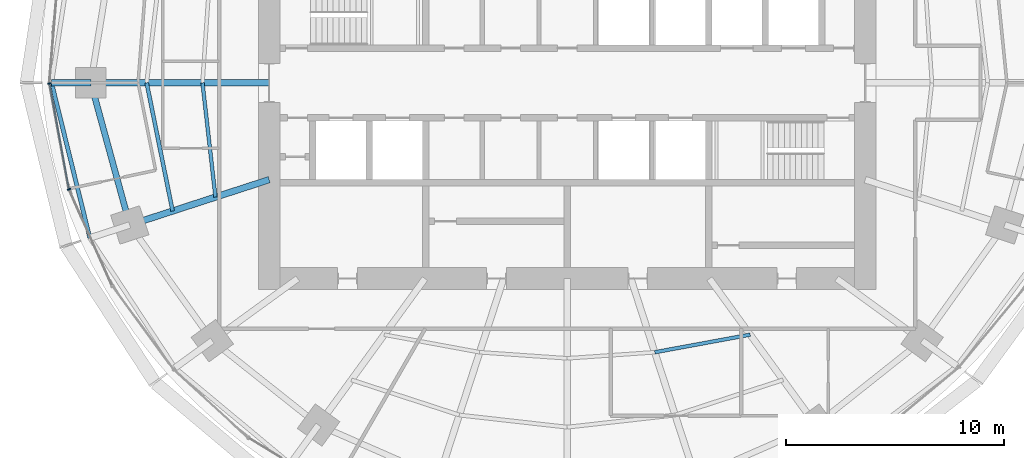
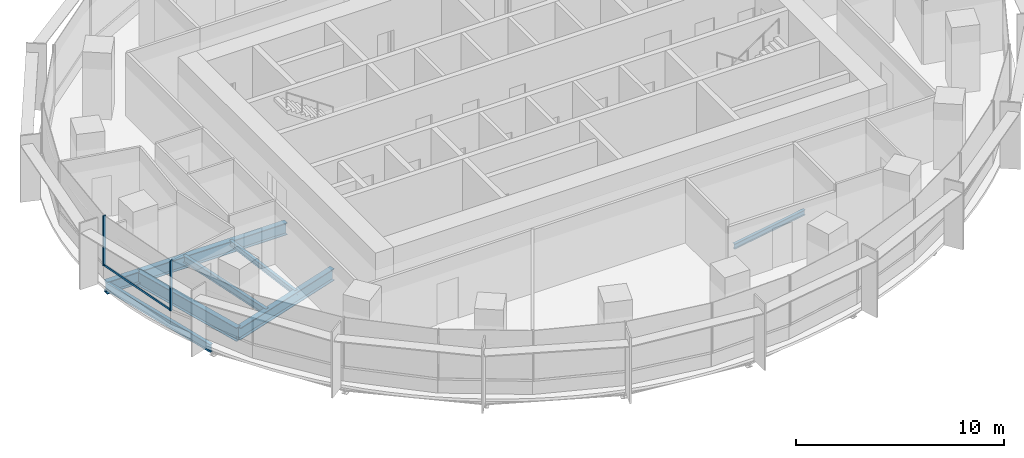
# One storey, part 3 of 14: 8 beams, 3 members, 1 element without a shape of its own.
"""IFC4 building model written with IfcOpenShell, lengths in metres."""

from ifc_helpers import new_model, si_unit, direction, frame, origin, origin_2d, place, context, subcontext, project, spatial, rectangle, i_section, extrude, material, material_profile, profile_set, type_object, element, aggregate, save


model = new_model("IFC4")

# Units and contexts
model_context = context("Model", 3, precision=1e-05, world=origin(), true_north=direction((0.0, 1.0)))
body_context = subcontext(model_context, "Body", "Model", "MODEL_VIEW")
ifc_project = project(units=[si_unit("LENGTHUNIT", "METRE"), si_unit("AREAUNIT", "SQUARE_METRE"), si_unit("VOLUMEUNIT", "CUBIC_METRE"), si_unit("PLANEANGLEUNIT", "RADIAN"), si_unit("MASSUNIT", "GRAM", prefix="KILO")], contexts=[model_context])

# Site, building, storey
site_placement = place(None, origin())
site = spatial("IfcSite", under=ifc_project, at=site_placement, CompositionType="ELEMENT")
building_placement = place(site_placement, origin())
building = spatial("IfcBuilding", under=site, at=building_placement, Name="Marramba Exchange Tower", CompositionType="ELEMENT")
storey_placement = place(building_placement, frame((0.0, 0.0, 183.800048828125)))
storey = spatial("IfcBuildingStorey", under=building, at=storey_placement, Name="L44", CompositionType="ELEMENT", Elevation=183.800048828125)

# Beams
ifc_material_1 = material(Name="Steel AS/NZS 3679.2 grade 300", Category="steel")
ifc_material_profile_1 = material_profile(ifc_material_1, i_section(OverallWidth=0.300048828125, OverallDepth=0.699951171875, WebThickness=0.010009765625, FlangeThickness=0.031982421875, at=origin_2d()), Name="700WB173")
ifc_profile_set_1 = profile_set([ifc_material_profile_1], Name="Steel AS/NZS 3679.2 grade 300")
beam_type_1 = type_object("IfcBeamType", Name="Cantilever girder 700WB173", PredefinedType="BEAM", material=ifc_profile_set_1)
beam_1_placement = place(storey_placement, frame((-21.89990234375, 0.0, -0.510009765625), z_axis=(-1.0, 0.0, 0.0), x_axis=(0.0, -1.0, 0.0)))
element("IfcBeam", 1, at=beam_1_placement, inside=storey, type_object=beam_type_1, Name="Cantilever girder L44 TC11", PredefinedType="BEAM", context=body_context, shape_type="SweptSolid", body=[
    extrude(i_section(OverallWidth=0.300048828125, OverallDepth=0.699951171875, WebThickness=0.010009765625, FlangeThickness=0.031982421875, at=origin_2d()), origin(), (0.0, 0.0, 1.0), 1.80615234375),
])
ifc_material_2 = material(Name="Steel AS/NZS 3679.1 grade 300", Category="steel")
ifc_material_profile_2 = material_profile(ifc_material_2, i_section(OverallWidth=0.166015625, OverallDepth=0.306884765625, WebThickness=0.006591796875, FlangeThickness=0.01171875, FilletRadius=0.011474609375, at=origin_2d()), Name="310UB46.2")
ifc_profile_set_2 = profile_set([ifc_material_profile_2], Name="Steel AS/NZS 3679.1 grade 300")
beam_type_2 = type_object("IfcBeamType", Name="Floor joist 310UB46.2", PredefinedType="JOIST", material=ifc_profile_set_2)
beam_2_placement = place(storey_placement, frame((-16.7666015625, 0.0, -0.3134765625), z_axis=(0.112888968594, -0.993607609054, 0.0), x_axis=(0.993607609054, 0.112888968594, 0.0)))
element("IfcBeam", 2, at=beam_2_placement, inside=storey, type_object=beam_type_2, Name="Joist L44 bay 11 row 1", PredefinedType="JOIST", context=body_context, shape_type="SweptSolid", body=[
    extrude(i_section(OverallWidth=0.166015625, OverallDepth=0.306884765625, WebThickness=0.006591796875, FlangeThickness=0.01171875, FilletRadius=0.011474609375, at=origin_2d()), origin(), (0.0, 0.0, 1.0), 5.28759765625),
])
beam_3_placement = place(storey_placement, frame((4.0244140625, -12.3857421875, -0.3134765625), z_axis=(0.983455754421, 0.181148500119, 0.0), x_axis=(-0.181148500119, 0.983455754421, 0.0)))
element("IfcBeam", 3, at=beam_3_placement, inside=storey, type_object=beam_type_2, Name="Joist L44 bay 17 row 1", PredefinedType="JOIST", context=body_context, shape_type="SweptSolid", body=[
    extrude(i_section(OverallWidth=0.166015625, OverallDepth=0.306884765625, WebThickness=0.006591796875, FlangeThickness=0.01171875, FilletRadius=0.011474609375, at=origin_2d()), origin(), (0.0, 0.0, 1.0), 4.4609375),
])
ifc_material_profile_3 = material_profile(ifc_material_2, i_section(OverallWidth=0.177978515625, OverallDepth=0.406005859375, WebThickness=0.0078125, FlangeThickness=0.0126953125, FilletRadius=0.011474609375, at=origin_2d()), Name="410UB59.7")
ifc_profile_set_3 = profile_set([ifc_material_profile_3], Name="Steel AS/NZS 3679.1 grade 300")
beam_type_3 = type_object("IfcBeamType", Name="Floor joist 410UB59.7", PredefinedType="JOIST", material=ifc_profile_set_3)
beam_4_placement = place(storey_placement, frame((-19.333251953125, 0.0, -0.363037109375), z_axis=(0.198489047047, -0.980103105904, 0.0), x_axis=(0.980103105904, 0.198489047047, 0.0)))
element("IfcBeam", 4, at=beam_4_placement, inside=storey, type_object=beam_type_3, Name="Joist L44 bay 11 row 2", PredefinedType="JOIST", context=body_context, shape_type="SweptSolid", body=[
    extrude(i_section(OverallWidth=0.177978515625, OverallDepth=0.406005859375, WebThickness=0.0078125, FlangeThickness=0.0126953125, FilletRadius=0.011474609375, at=origin_2d()), origin(), (0.0, 0.0, 1.0), 6.013427734375),
])

# Curtain wall, members
ifc_material_3 = material(Name="Aluminium framing, bronze anodised", Category="aluminium")
curtain_wall_type = type_object("IfcCurtainWallType", Name="Office ribbon curtain wall", PredefinedType="USERDEFINED", material=ifc_material_3)
curtain_wall_placement = place(storey_placement, origin())
curtain_wall = element("IfcCurtainWall", 5, at=curtain_wall_placement, inside=storey, type_object=curtain_wall_type, Name="Curtain wall CW4 L44 F16-F20", ObjectType="RIBBON CURTAIN WALL", PredefinedType="USERDEFINED")
ifc_material_4 = material(Name="Aluminium mullion, bronze anodised", Category="aluminium")
ifc_material_profile_4 = material_profile(ifc_material_4, rectangle(XDim=0.159912109375, YDim=0.06005859375, at=origin_2d()), Name="CW4 mullion 60x160")
ifc_profile_set_4 = profile_set([ifc_material_profile_4], Name="Aluminium mullion, bronze anodised")
member_type_1 = type_object("IfcMemberType", Name="Office ribbon curtain wall mullion", PredefinedType="MULLION", material=ifc_profile_set_4)
member_1_placement = place(storey_placement, frame((-23.800537109375, -0.029541015625, 0.800048828125), z_axis=(0.0, 0.0, 1.0), x_axis=(0.983606636184, 0.180327438996, 0.0)))
member_1 = element("IfcMember", 6, at=member_1_placement, type_object=member_type_1, Name="CW4 mullion 1", PredefinedType="MULLION", context=body_context, shape_type="SweptSolid", body=[
    extrude(rectangle(XDim=0.159912109375, YDim=0.06005859375, at=origin_2d()), origin(), (0.0, 0.0, 1.0), 2.93994140625),
])
member_2_placement = place(storey_placement, frame((-22.90087890625, -4.897705078125, 0.800048828125), z_axis=(0.0, 0.0, 1.0), x_axis=(0.913179510401, 0.407557580942, 0.0)))
member_2 = element("IfcMember", 7, at=member_2_placement, type_object=member_type_1, Name="CW4 mullion 1", PredefinedType="MULLION", context=body_context, shape_type="SweptSolid", body=[
    extrude(rectangle(XDim=0.159912109375, YDim=0.06005859375, at=origin_2d()), origin(), (0.0, 0.0, 1.0), 2.93994140625),
])
ifc_material_5 = material(Name="Aluminium transom, bronze anodised", Category="aluminium")
ifc_material_profile_5 = material_profile(ifc_material_5, rectangle(XDim=0.06005859375, YDim=0.1201171875, at=origin_2d()), Name="CW4 transom 60x120")
ifc_profile_set_5 = profile_set([ifc_material_profile_5], Name="Aluminium transom, bronze anodised")
member_type_2 = type_object("IfcMemberType", Name="Office ribbon curtain wall transom", PredefinedType="USERDEFINED", material=ifc_profile_set_5)
member_3_placement = place(storey_placement, frame((-23.795166015625, -0.05908203125, 0.829833984375), z_axis=(0.180330283276, -0.98360611473, 0.0), x_axis=(0.98360611473, 0.180330283276, 0.0)))
member_3 = element("IfcMember", 8, at=member_3_placement, type_object=member_type_2, Name="CW4 sill transom", ObjectType="TRANSOM", PredefinedType="USERDEFINED", context=body_context, shape_type="SweptSolid", body=[
    extrude(rectangle(XDim=0.06005859375, YDim=0.1201171875, at=origin_2d()), origin(), (0.0, 0.0, 1.0), 4.891357421875),
])
aggregate(curtain_wall, [member_1, member_3, member_2])

# Beams
ifc_material_profile_6 = material_profile(ifc_material_1, i_section(OverallWidth=0.300048828125, OverallDepth=0.699951171875, WebThickness=0.010009765625, FlangeThickness=0.031982421875, at=origin_2d()), Name="700WB173")
ifc_profile_set_6 = profile_set([ifc_material_profile_6], Name="Steel AS/NZS 3679.2 grade 300")
beam_type_4 = type_object("IfcBeamType", Name="Radial girder 700WB173", PredefinedType="BEAM", material=ifc_profile_set_6)
beam_5_placement = place(storey_placement, frame((-13.699951171875, 0.0, -0.510009765625), z_axis=(-1.0, 0.0, 0.0), x_axis=(0.0, -1.0, 0.0)))
element("IfcBeam", 9, at=beam_5_placement, inside=storey, type_object=beam_type_4, Name="Radial girder L44 TC11", PredefinedType="BEAM", context=body_context, shape_type="SweptSolid", body=[
    extrude(i_section(OverallWidth=0.300048828125, OverallDepth=0.699951171875, WebThickness=0.010009765625, FlangeThickness=0.031982421875, at=origin_2d()), origin(), (0.0, 0.0, 1.0), 8.199951171875),
])
beam_6_placement = place(storey_placement, frame((-13.699951171875, -4.451416015625, -0.510009765625), z_axis=(-0.951057759669, -0.309013167637, 0.0), x_axis=(0.309013167637, -0.951057759669, 0.0)))
element("IfcBeam", 10, at=beam_6_placement, inside=storey, type_object=beam_type_4, Name="Radial girder L44 TC12", PredefinedType="BEAM", context=body_context, shape_type="SweptSolid", body=[
    extrude(i_section(OverallWidth=0.300048828125, OverallDepth=0.699951171875, WebThickness=0.010009765625, FlangeThickness=0.031982421875, at=origin_2d()), origin(), (0.0, 0.0, 1.0), 6.7392578125),
])
ifc_material_profile_7 = material_profile(ifc_material_1, i_section(OverallWidth=0.27490234375, OverallDepth=0.800048828125, WebThickness=0.010009765625, FlangeThickness=0.02490234375, at=origin_2d()), Name="800WB168")
ifc_profile_set_7 = profile_set([ifc_material_profile_7], Name="Steel AS/NZS 3679.2 grade 300")
beam_type_5 = type_object("IfcBeamType", Name="Ring beam 800WB168", PredefinedType="SPANDREL", material=ifc_profile_set_7)
beam_7_placement = place(storey_placement, frame((-21.89990234375, 0.0, -0.56005859375), z_axis=(0.264291166956, -0.964442937176, 0.0), x_axis=(0.964442937176, 0.264291166956, 0.0)))
element("IfcBeam", 11, at=beam_7_placement, inside=storey, type_object=beam_type_5, Name="Ring beam L44 TC11-TC12", PredefinedType="SPANDREL", context=body_context, shape_type="SweptSolid", body=[
    extrude(i_section(OverallWidth=0.27490234375, OverallDepth=0.800048828125, WebThickness=0.010009765625, FlangeThickness=0.02490234375, at=origin_2d()), origin(), (0.0, 0.0, 1.0), 6.77490234375),
])
ifc_material_profile_8 = material_profile(ifc_material_2, i_section(OverallWidth=0.19091796875, OverallDepth=0.4599609375, WebThickness=0.010009765625, FlangeThickness=0.01611328125, FilletRadius=0.011474609375, at=origin_2d()), Name="460UB82.1")
ifc_profile_set_8 = profile_set([ifc_material_profile_8], Name="Steel AS/NZS 3679.1 grade 300")
beam_type_6 = type_object("IfcBeamType", Name="Slab edge beam 460UB82.1", PredefinedType="SPANDREL", material=ifc_profile_set_8)
beam_8_placement = place(storey_placement, frame((-23.7060546875, 0.0, -0.39013671875), z_axis=(0.23973454413, -0.970838476963, 0.0), x_axis=(0.970838476963, 0.23973454413, 0.0)))
element("IfcBeam", 12, at=beam_8_placement, inside=storey, type_object=beam_type_6, Name="Slab edge beam L44 TC11-TC12", PredefinedType="SPANDREL", context=body_context, shape_type="SweptSolid", body=[
    extrude(i_section(OverallWidth=0.19091796875, OverallDepth=0.4599609375, WebThickness=0.010009765625, FlangeThickness=0.01611328125, FilletRadius=0.011474609375, at=origin_2d()), origin(), (0.0, 0.0, 1.0), 7.344482421875),
])

save(model, "model.ifc")
